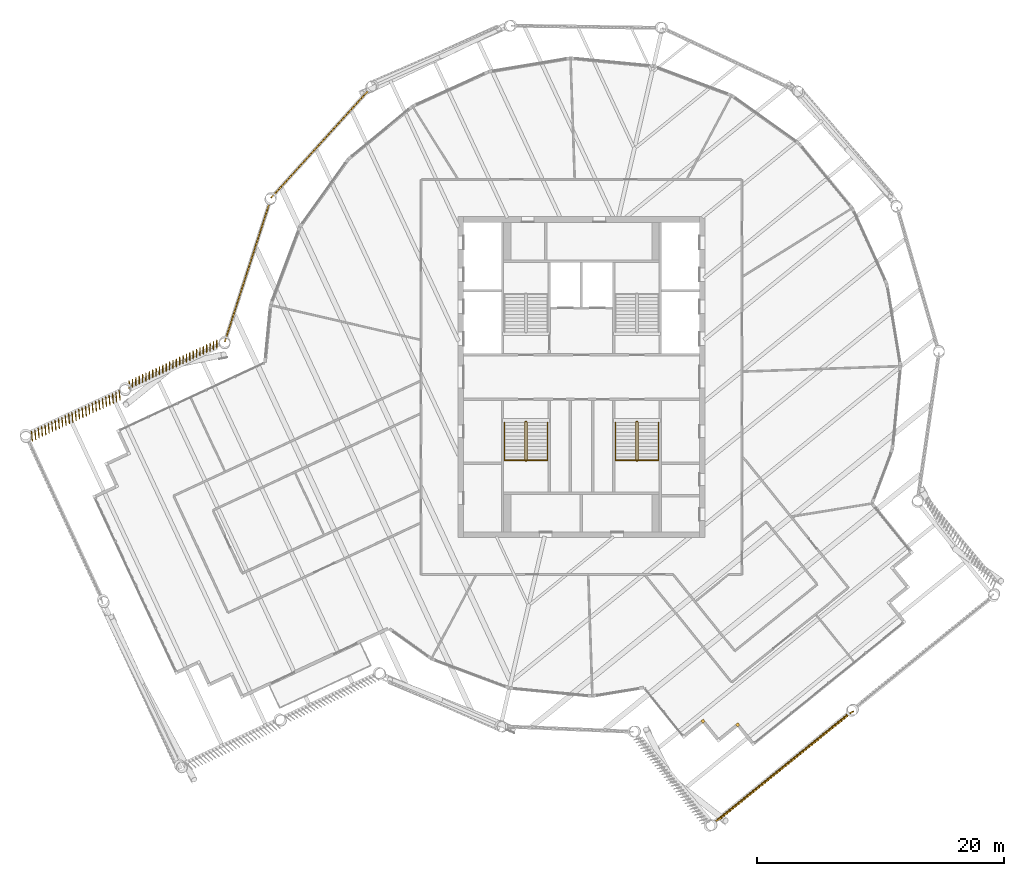
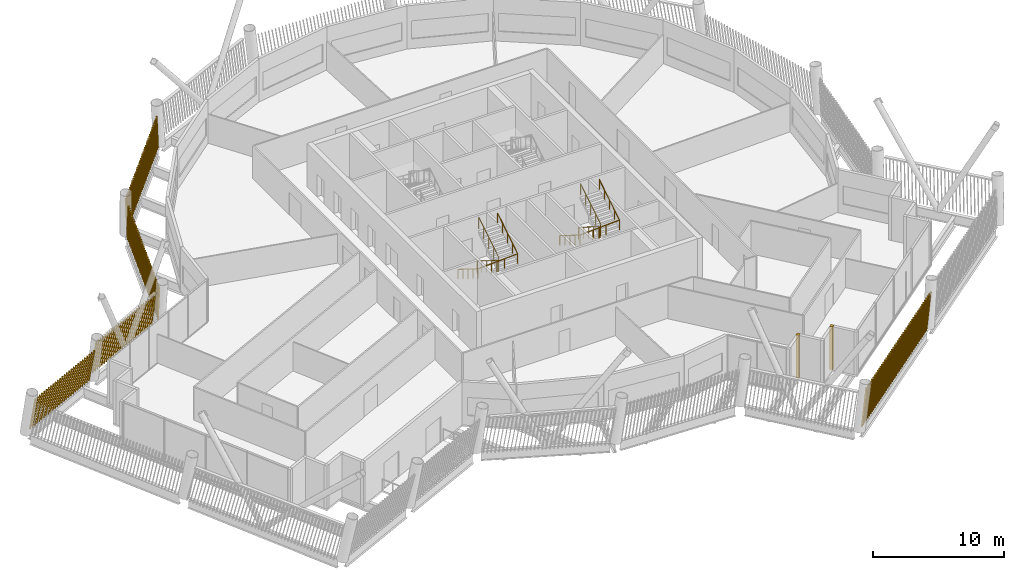
# One storey, part 33 of 36: 7 shading devices, 4 railings.
"""IFC4 building model written with IfcOpenShell, lengths in metres."""

from ifc_helpers import new_model, si_unit, direction, frame, frame_2d, origin, origin_2d, place, context, subcontext, project, spatial, rectangle, circle, composite_profile, extrude, material, type_object, element, save


model = new_model("IFC4")

# Units and contexts
model_context = context("Model", 3, precision=1e-05, world=origin(), true_north=direction((0.0, 1.0)))
body_context = subcontext(model_context, "Body", "Model", "MODEL_VIEW")
ifc_project = project(units=[si_unit("LENGTHUNIT", "METRE"), si_unit("AREAUNIT", "SQUARE_METRE"), si_unit("VOLUMEUNIT", "CUBIC_METRE"), si_unit("PLANEANGLEUNIT", "RADIAN"), si_unit("MASSUNIT", "GRAM", prefix="KILO")], contexts=[model_context])

# Site, building, storey
site_placement = place(None, origin())
site = spatial("IfcSite", under=ifc_project, at=site_placement, CompositionType="ELEMENT")
building_placement = place(site_placement, origin())
building = spatial("IfcBuilding", under=site, at=building_placement, Name="Tarsis Ring Headquarters", CompositionType="ELEMENT")
storey_placement = place(building_placement, frame((0.0, 0.0, 386.0)))
storey = spatial("IfcBuildingStorey", under=building, at=storey_placement, Name="L91", CompositionType="ELEMENT", Elevation=386.0)

# Railings
ifc_material_1 = material(Name="Steel S355", Category="steel")
railing_type_1 = type_object("IfcRailingType", Name="Core stair guard 1100", PredefinedType="GUARDRAIL", material=ifc_material_1)
railing_1_placement = place(storey_placement, frame((-4.4599609375, -3.610107421875, 0.0)))
element("IfcRailing", 1, at=railing_1_placement, inside=storey, type_object=railing_type_1, Name="L91 ST3 stair guard 1", PredefinedType="GUARDRAIL", context=body_context, shape_type="SweptSolid", body=[
    extrude(circle(Radius=0.02392578125, at=origin_2d()), frame((0.0, 0.0, 1.076171875), z_axis=(-1.0, 0.0, 0.0), x_axis=(0.0, -1.0, 0.0)), (0.0, 0.0, 1.0), 0.080078125),
    extrude(circle(Radius=0.02392578125, at=origin_2d()), frame((-0.080078125, 0.0, 1.076171875), z_axis=(-0.265155923931, -0.263862480399, 0.927399011991), x_axis=(0.705375805398, -0.708833529934, 0.0)), (0.0, 0.0, 1.0), 0.188720703125),
    extrude(circle(Radius=0.02392578125, at=origin_2d()), frame((-0.130126953125, -0.0498046875, 1.2509765625), z_axis=(0.0, -0.847998304005, 0.529998940003), x_axis=(1.0, 0.0, 0.0)), (0.0, 0.0, 1.0), 3.632080078125),
    extrude(circle(Radius=0.02392578125, at=origin_2d()), frame((-0.130126953125, -3.1298828125, 3.17626953125), z_axis=(0.707106781187, -0.707106781187, 0.0), x_axis=(0.707106781187, 0.707106781187, 0.0)), (0.0, 0.0, 1.0), 0.07080078125),
    extrude(circle(Radius=0.02392578125, at=origin_2d()), frame((-0.080078125, -3.179931640625, 3.17626953125), z_axis=(1.0, 0.0, 0.0), x_axis=(0.0, 1.0, 0.0)), (0.0, 0.0, 1.0), 0.080078125),
    extrude(circle(Radius=0.02392578125, at=origin_2d()), frame((0.0, -3.179931640625, 3.17626953125), z_axis=(0.265383341853, 0.265383341853, 0.926899867156), x_axis=(-0.707106781187, 0.707106781187, 0.0)), (0.0, 0.0, 1.0), 0.1884765625),
    extrude(circle(Radius=0.02392578125, at=origin_2d()), frame((0.050048828125, -3.1298828125, 3.35107421875), z_axis=(0.0, 0.847998304005, 0.529998940003), x_axis=(-1.0, 0.0, 0.0)), (0.0, 0.0, 1.0), 3.632080078125),
    extrude(circle(Radius=0.02099609375, at=origin_2d()), origin(), (0.0, 0.0, 1.0), 1.052001953125),
    extrude(circle(Radius=0.02099609375, at=origin_2d()), frame((-0.080078125, 0.0, 0.0)), (0.0, 0.0, 1.0), 1.052001953125),
    extrude(circle(Radius=0.02099609375, at=origin_2d()), frame((-0.130126953125, -0.0498046875, 0.175048828125)), (0.0, 0.0, 1.0), 1.052001953125),
    extrude(circle(Radius=0.02099609375, at=origin_2d()), frame((-0.130126953125, -0.81982421875, 0.65625)), (0.0, 0.0, 1.0), 1.052001953125),
    extrude(circle(Radius=0.02099609375, at=origin_2d()), frame((-0.130126953125, -1.58984375, 1.1376953125)), (0.0, 0.0, 1.0), 1.052001953125),
    extrude(circle(Radius=0.02099609375, at=origin_2d()), frame((-0.130126953125, -2.35986328125, 1.618896484375)), (0.0, 0.0, 1.0), 1.052001953125),
    extrude(circle(Radius=0.02099609375, at=origin_2d()), frame((-0.130126953125, -3.1298828125, 2.10009765625)), (0.0, 0.0, 1.0), 1.052001953125),
    extrude(circle(Radius=0.02099609375, at=origin_2d()), frame((-0.080078125, -3.179931640625, 2.10009765625)), (0.0, 0.0, 1.0), 1.052001953125),
    extrude(circle(Radius=0.02099609375, at=origin_2d()), frame((0.0, -3.179931640625, 2.10009765625)), (0.0, 0.0, 1.0), 1.052001953125),
    extrude(circle(Radius=0.02099609375, at=origin_2d()), frame((0.050048828125, -3.1298828125, 2.27490234375)), (0.0, 0.0, 1.0), 1.052001953125),
    extrude(circle(Radius=0.02099609375, at=origin_2d()), frame((0.050048828125, -2.35986328125, 2.756103515625)), (0.0, 0.0, 1.0), 1.052001953125),
    extrude(circle(Radius=0.02099609375, at=origin_2d()), frame((0.050048828125, -1.58984375, 3.2373046875)), (0.0, 0.0, 1.0), 1.052001953125),
    extrude(circle(Radius=0.02099609375, at=origin_2d()), frame((0.050048828125, -0.81982421875, 3.71875)), (0.0, 0.0, 1.0), 1.052001953125),
    extrude(circle(Radius=0.02099609375, at=origin_2d()), frame((0.050048828125, -0.0498046875, 4.199951171875)), (0.0, 0.0, 1.0), 1.052001953125),
])
railing_2_placement = place(storey_placement, frame((4.5400390625, -3.610107421875, 0.0)))
element("IfcRailing", 2, at=railing_2_placement, inside=storey, type_object=railing_type_1, Name="L91 ST4 stair guard 1", PredefinedType="GUARDRAIL", context=body_context, shape_type="SweptSolid", body=[
    extrude(circle(Radius=0.02392578125, at=origin_2d()), frame((0.0, 0.0, 1.076171875), z_axis=(-1.0, 0.0, 0.0), x_axis=(0.0, -1.0, 0.0)), (0.0, 0.0, 1.0), 0.080078125),
    extrude(circle(Radius=0.02392578125, at=origin_2d()), frame((-0.080078125, 0.0, 1.076171875), z_axis=(-0.265155923931, -0.263862480399, 0.927399011991), x_axis=(0.705375805398, -0.708833529934, 0.0)), (0.0, 0.0, 1.0), 0.188720703125),
    extrude(circle(Radius=0.02392578125, at=origin_2d()), frame((-0.130126953125, -0.0498046875, 1.2509765625), z_axis=(0.0, -0.847998304005, 0.529998940003), x_axis=(1.0, 0.0, 0.0)), (0.0, 0.0, 1.0), 3.632080078125),
    extrude(circle(Radius=0.02392578125, at=origin_2d()), frame((-0.130126953125, -3.1298828125, 3.17626953125), z_axis=(0.707106781187, -0.707106781187, 0.0), x_axis=(0.707106781187, 0.707106781187, 0.0)), (0.0, 0.0, 1.0), 0.07080078125),
    extrude(circle(Radius=0.02392578125, at=origin_2d()), frame((-0.080078125, -3.179931640625, 3.17626953125), z_axis=(1.0, 0.0, 0.0), x_axis=(0.0, 1.0, 0.0)), (0.0, 0.0, 1.0), 0.080078125),
    extrude(circle(Radius=0.02392578125, at=origin_2d()), frame((0.0, -3.179931640625, 3.17626953125), z_axis=(0.265383341853, 0.265383341853, 0.926899867156), x_axis=(-0.707106781187, 0.707106781187, 0.0)), (0.0, 0.0, 1.0), 0.1884765625),
    extrude(circle(Radius=0.02392578125, at=origin_2d()), frame((0.050048828125, -3.1298828125, 3.35107421875), z_axis=(0.0, 0.847998304005, 0.529998940003), x_axis=(-1.0, 0.0, 0.0)), (0.0, 0.0, 1.0), 3.632080078125),
    extrude(circle(Radius=0.02099609375, at=origin_2d()), origin(), (0.0, 0.0, 1.0), 1.052001953125),
    extrude(circle(Radius=0.02099609375, at=origin_2d()), frame((-0.080078125, 0.0, 0.0)), (0.0, 0.0, 1.0), 1.052001953125),
    extrude(circle(Radius=0.02099609375, at=origin_2d()), frame((-0.130126953125, -0.0498046875, 0.175048828125)), (0.0, 0.0, 1.0), 1.052001953125),
    extrude(circle(Radius=0.02099609375, at=origin_2d()), frame((-0.130126953125, -0.81982421875, 0.65625)), (0.0, 0.0, 1.0), 1.052001953125),
    extrude(circle(Radius=0.02099609375, at=origin_2d()), frame((-0.130126953125, -1.58984375, 1.1376953125)), (0.0, 0.0, 1.0), 1.052001953125),
    extrude(circle(Radius=0.02099609375, at=origin_2d()), frame((-0.130126953125, -2.35986328125, 1.618896484375)), (0.0, 0.0, 1.0), 1.052001953125),
    extrude(circle(Radius=0.02099609375, at=origin_2d()), frame((-0.130126953125, -3.1298828125, 2.10009765625)), (0.0, 0.0, 1.0), 1.052001953125),
    extrude(circle(Radius=0.02099609375, at=origin_2d()), frame((-0.080078125, -3.179931640625, 2.10009765625)), (0.0, 0.0, 1.0), 1.052001953125),
    extrude(circle(Radius=0.02099609375, at=origin_2d()), frame((0.0, -3.179931640625, 2.10009765625)), (0.0, 0.0, 1.0), 1.052001953125),
    extrude(circle(Radius=0.02099609375, at=origin_2d()), frame((0.050048828125, -3.1298828125, 2.27490234375)), (0.0, 0.0, 1.0), 1.052001953125),
    extrude(circle(Radius=0.02099609375, at=origin_2d()), frame((0.050048828125, -2.35986328125, 2.756103515625)), (0.0, 0.0, 1.0), 1.052001953125),
    extrude(circle(Radius=0.02099609375, at=origin_2d()), frame((0.050048828125, -1.58984375, 3.2373046875)), (0.0, 0.0, 1.0), 1.052001953125),
    extrude(circle(Radius=0.02099609375, at=origin_2d()), frame((0.050048828125, -0.81982421875, 3.71875)), (0.0, 0.0, 1.0), 1.052001953125),
    extrude(circle(Radius=0.02099609375, at=origin_2d()), frame((0.050048828125, -0.0498046875, 4.199951171875)), (0.0, 0.0, 1.0), 1.052001953125),
])
railing_type_2 = type_object("IfcRailingType", Name="Core stair handrail 900", PredefinedType="HANDRAIL", material=ifc_material_1)
railing_3_placement = place(storey_placement, frame((-6.25, -3.659912109375, 0.175048828125)))
element("IfcRailing", 3, at=railing_3_placement, inside=storey, type_object=railing_type_2, Name="L91 ST3 stair handrail 1", PredefinedType="HANDRAIL", context=body_context, shape_type="SweptSolid", body=[
    extrude(circle(Radius=0.02392578125, at=origin_2d()), frame((0.0, 0.0, 0.8759765625), z_axis=(0.0, -0.847998304005, 0.529998940003), x_axis=(1.0, 0.0, 0.0)), (0.0, 0.0, 1.0), 3.632080078125),
    extrude(circle(Radius=0.02392578125, at=origin_2d()), frame((0.0, -3.080078125, 2.80078125), z_axis=(0.998755117086, 0.0, 0.049882021752), x_axis=(0.0, 1.0, 0.0)), (0.0, 0.0, 1.0), 3.50439453125),
    extrude(circle(Radius=0.02392578125, at=origin_2d()), frame((3.5, -3.080078125, 2.9755859375), z_axis=(0.0, 0.847998304005, 0.529998940003), x_axis=(-1.0, 0.0, 0.0)), (0.0, 0.0, 1.0), 3.632080078125),
    extrude(circle(Radius=0.02099609375, at=origin_2d()), origin(), (0.0, 0.0, 1.0), 0.851806640625),
    extrude(circle(Radius=0.02099609375, at=origin_2d()), frame((0.0, -0.77001953125, 0.481201171875)), (0.0, 0.0, 1.0), 0.851806640625),
    extrude(circle(Radius=0.02099609375, at=origin_2d()), frame((0.0, -1.5400390625, 0.96240234375)), (0.0, 0.0, 1.0), 0.851806640625),
    extrude(circle(Radius=0.02099609375, at=origin_2d()), frame((0.0, -2.31005859375, 1.44384765625)), (0.0, 0.0, 1.0), 0.851806640625),
    extrude(circle(Radius=0.02099609375, at=origin_2d()), frame((0.0, -3.080078125, 1.925048828125)), (0.0, 0.0, 1.0), 0.851806640625),
    extrude(circle(Radius=0.02099609375, at=origin_2d()), frame((1.166748046875, -3.080078125, 1.9833984375)), (0.0, 0.0, 1.0), 0.851806640625),
    extrude(circle(Radius=0.02099609375, at=origin_2d()), frame((2.333251953125, -3.080078125, 2.04150390625)), (0.0, 0.0, 1.0), 0.851806640625),
    extrude(circle(Radius=0.02099609375, at=origin_2d()), frame((3.5, -3.080078125, 2.099853515625)), (0.0, 0.0, 1.0), 0.851806640625),
    extrude(circle(Radius=0.02099609375, at=origin_2d()), frame((3.5, -2.31005859375, 2.5810546875)), (0.0, 0.0, 1.0), 0.851806640625),
    extrude(circle(Radius=0.02099609375, at=origin_2d()), frame((3.5, -1.5400390625, 3.0625)), (0.0, 0.0, 1.0), 0.851806640625),
    extrude(circle(Radius=0.02099609375, at=origin_2d()), frame((3.5, -0.77001953125, 3.543701171875)), (0.0, 0.0, 1.0), 0.851806640625),
    extrude(circle(Radius=0.02099609375, at=origin_2d()), frame((3.5, 0.0, 4.02490234375)), (0.0, 0.0, 1.0), 0.851806640625),
])
railing_4_placement = place(storey_placement, frame((2.75, -3.659912109375, 0.175048828125)))
element("IfcRailing", 4, at=railing_4_placement, inside=storey, type_object=railing_type_2, Name="L91 ST4 stair handrail 1", PredefinedType="HANDRAIL", context=body_context, shape_type="SweptSolid", body=[
    extrude(circle(Radius=0.02392578125, at=origin_2d()), frame((0.0, 0.0, 0.8759765625), z_axis=(0.0, -0.847998304005, 0.529998940003), x_axis=(1.0, 0.0, 0.0)), (0.0, 0.0, 1.0), 3.632080078125),
    extrude(circle(Radius=0.02392578125, at=origin_2d()), frame((0.0, -3.080078125, 2.80078125), z_axis=(0.998755117086, 0.0, 0.049882021752), x_axis=(0.0, 1.0, 0.0)), (0.0, 0.0, 1.0), 3.50439453125),
    extrude(circle(Radius=0.02392578125, at=origin_2d()), frame((3.5, -3.080078125, 2.9755859375), z_axis=(0.0, 0.847998304005, 0.529998940003), x_axis=(-1.0, 0.0, 0.0)), (0.0, 0.0, 1.0), 3.632080078125),
    extrude(circle(Radius=0.02099609375, at=origin_2d()), origin(), (0.0, 0.0, 1.0), 0.851806640625),
    extrude(circle(Radius=0.02099609375, at=origin_2d()), frame((0.0, -0.77001953125, 0.481201171875)), (0.0, 0.0, 1.0), 0.851806640625),
    extrude(circle(Radius=0.02099609375, at=origin_2d()), frame((0.0, -1.5400390625, 0.96240234375)), (0.0, 0.0, 1.0), 0.851806640625),
    extrude(circle(Radius=0.02099609375, at=origin_2d()), frame((0.0, -2.31005859375, 1.44384765625)), (0.0, 0.0, 1.0), 0.851806640625),
    extrude(circle(Radius=0.02099609375, at=origin_2d()), frame((0.0, -3.080078125, 1.925048828125)), (0.0, 0.0, 1.0), 0.851806640625),
    extrude(circle(Radius=0.02099609375, at=origin_2d()), frame((1.166748046875, -3.080078125, 1.9833984375)), (0.0, 0.0, 1.0), 0.851806640625),
    extrude(circle(Radius=0.02099609375, at=origin_2d()), frame((2.333251953125, -3.080078125, 2.04150390625)), (0.0, 0.0, 1.0), 0.851806640625),
    extrude(circle(Radius=0.02099609375, at=origin_2d()), frame((3.5, -3.080078125, 2.099853515625)), (0.0, 0.0, 1.0), 0.851806640625),
    extrude(circle(Radius=0.02099609375, at=origin_2d()), frame((3.5, -2.31005859375, 2.5810546875)), (0.0, 0.0, 1.0), 0.851806640625),
    extrude(circle(Radius=0.02099609375, at=origin_2d()), frame((3.5, -1.5400390625, 3.0625)), (0.0, 0.0, 1.0), 0.851806640625),
    extrude(circle(Radius=0.02099609375, at=origin_2d()), frame((3.5, -0.77001953125, 3.543701171875)), (0.0, 0.0, 1.0), 0.851806640625),
    extrude(circle(Radius=0.02099609375, at=origin_2d()), frame((3.5, 0.0, 4.02490234375)), (0.0, 0.0, 1.0), 0.851806640625),
])

# Shading devices
ifc_material_2 = material(Name="Terracotta baguette", Category="masonry")
shading_device_type_1 = type_object("IfcShadingDeviceType", Name="Terracotta baguette screen", PredefinedType="USERDEFINED", material=ifc_material_2)
shading_device_1_placement = place(storey_placement, frame((10.761962890625, -36.051513671875, 0.0), z_axis=(0.0, 0.0, 1.0), x_axis=(0.777585139319, 0.628783724016, 0.0)))
element("IfcShadingDevice", 5, at=shading_device_1_placement, inside=storey, type_object=shading_device_type_1, Name="Baguette screen L91-02", ObjectType="Terracotta baguette screen", PredefinedType="USERDEFINED", context=body_context, shape_type="SweptSolid", body=[
    extrude(composite_profile([rectangle(XDim=0.06005859375, YDim=0.1201171875, at=frame_2d((0.030029296875, 0.0))), rectangle(XDim=0.06005859375, YDim=0.1201171875, at=frame_2d((0.33544921875, 0.0))), rectangle(XDim=0.06005859375, YDim=0.1201171875, at=frame_2d((0.640625, 0.0))), rectangle(XDim=0.06005859375, YDim=0.1201171875, at=frame_2d((0.946044921875, 0.0))), rectangle(XDim=0.06005859375, YDim=0.1201171875, at=frame_2d((1.25146484375, 0.0))), rectangle(XDim=0.06005859375, YDim=0.1201171875, at=frame_2d((1.556640625, 0.0))), rectangle(XDim=0.06005859375, YDim=0.1201171875, at=frame_2d((1.862060546875, 0.0))), rectangle(XDim=0.06005859375, YDim=0.1201171875, at=frame_2d((2.16748046875, 0.0))), rectangle(XDim=0.06005859375, YDim=0.1201171875, at=frame_2d((2.47265625, 0.0))), rectangle(XDim=0.06005859375, YDim=0.1201171875, at=frame_2d((2.778076171875, 0.0))), rectangle(XDim=0.06005859375, YDim=0.1201171875, at=frame_2d((3.08349609375, 0.0))), rectangle(XDim=0.06005859375, YDim=0.1201171875, at=frame_2d((3.388671875, 0.0))), rectangle(XDim=0.06005859375, YDim=0.1201171875, at=frame_2d((3.694091796875, 0.0))), rectangle(XDim=0.06005859375, YDim=0.1201171875, at=frame_2d((3.99951171875, 0.0))), rectangle(XDim=0.06005859375, YDim=0.1201171875, at=frame_2d((4.3046875, 0.0))), rectangle(XDim=0.06005859375, YDim=0.1201171875, at=frame_2d((4.610107421875, 0.0))), rectangle(XDim=0.06005859375, YDim=0.1201171875, at=frame_2d((4.91552734375, 0.0))), rectangle(XDim=0.06005859375, YDim=0.1201171875, at=frame_2d((5.220703125, 0.0))), rectangle(XDim=0.06005859375, YDim=0.1201171875, at=frame_2d((5.526123046875, 0.0))), rectangle(XDim=0.06005859375, YDim=0.1201171875, at=frame_2d((5.83154296875, 0.0))), rectangle(XDim=0.06005859375, YDim=0.1201171875, at=frame_2d((6.13671875, 0.0))), rectangle(XDim=0.06005859375, YDim=0.1201171875, at=frame_2d((6.442138671875, 0.0))), rectangle(XDim=0.06005859375, YDim=0.1201171875, at=frame_2d((6.74755859375, 0.0))), rectangle(XDim=0.06005859375, YDim=0.1201171875, at=frame_2d((7.052734375, 0.0))), rectangle(XDim=0.06005859375, YDim=0.1201171875, at=frame_2d((7.358154296875, 0.0))), rectangle(XDim=0.06005859375, YDim=0.1201171875, at=frame_2d((7.66357421875, 0.0))), rectangle(XDim=0.06005859375, YDim=0.1201171875, at=frame_2d((7.96875, 0.0))), rectangle(XDim=0.06005859375, YDim=0.1201171875, at=frame_2d((8.274169921875, 0.0))), rectangle(XDim=0.06005859375, YDim=0.1201171875, at=frame_2d((8.57958984375, 0.0))), rectangle(XDim=0.06005859375, YDim=0.1201171875, at=frame_2d((8.884765625, 0.0))), rectangle(XDim=0.06005859375, YDim=0.1201171875, at=frame_2d((9.190185546875, 0.0))), rectangle(XDim=0.06005859375, YDim=0.1201171875, at=frame_2d((9.49560546875, 0.0))), rectangle(XDim=0.06005859375, YDim=0.1201171875, at=frame_2d((9.80078125, 0.0))), rectangle(XDim=0.06005859375, YDim=0.1201171875, at=frame_2d((10.106201171875, 0.0))), rectangle(XDim=0.06005859375, YDim=0.1201171875, at=frame_2d((10.41162109375, 0.0))), rectangle(XDim=0.06005859375, YDim=0.1201171875, at=frame_2d((10.716796875, 0.0))), rectangle(XDim=0.06005859375, YDim=0.1201171875, at=frame_2d((11.022216796875, 0.0))), rectangle(XDim=0.06005859375, YDim=0.1201171875, at=frame_2d((11.32763671875, 0.0))), rectangle(XDim=0.06005859375, YDim=0.1201171875, at=frame_2d((11.6328125, 0.0))), rectangle(XDim=0.06005859375, YDim=0.1201171875, at=frame_2d((11.938232421875, 0.0))), rectangle(XDim=0.06005859375, YDim=0.1201171875, at=frame_2d((12.24365234375, 0.0))), rectangle(XDim=0.06005859375, YDim=0.1201171875, at=frame_2d((12.548828125, 0.0))), rectangle(XDim=0.06005859375, YDim=0.1201171875, at=frame_2d((12.854248046875, 0.0))), rectangle(XDim=0.06005859375, YDim=0.1201171875, at=frame_2d((13.15966796875, 0.0))), rectangle(XDim=0.06005859375, YDim=0.1201171875, at=frame_2d((13.46484375, 0.0))), rectangle(XDim=0.06005859375, YDim=0.1201171875, at=frame_2d((13.770263671875, 0.0)))]), origin(), (0.18928086225, -0.038458313963, 0.981169563976), 3.343505859375),
])
shading_device_2_placement = place(storey_placement, frame((-17.26416015625, 23.235595703125, 0.0), z_axis=(0.0, 0.0, 1.0), x_axis=(-0.671499262089, -0.740993141766, 0.0)))
element("IfcShadingDevice", 6, at=shading_device_2_placement, inside=storey, type_object=shading_device_type_1, Name="Baguette screen L91-11", ObjectType="Terracotta baguette screen", PredefinedType="USERDEFINED", context=body_context, shape_type="SweptSolid", body=[
    extrude(composite_profile([rectangle(XDim=0.06005859375, YDim=0.1201171875, at=frame_2d((0.030029296875, 0.0))), rectangle(XDim=0.06005859375, YDim=0.1201171875, at=frame_2d((0.33251953125, 0.0))), rectangle(XDim=0.06005859375, YDim=0.1201171875, at=frame_2d((0.634765625, 0.0))), rectangle(XDim=0.06005859375, YDim=0.1201171875, at=frame_2d((0.937255859375, 0.0))), rectangle(XDim=0.06005859375, YDim=0.1201171875, at=frame_2d((1.239501953125, 0.0))), rectangle(XDim=0.06005859375, YDim=0.1201171875, at=frame_2d((1.5419921875, 0.0))), rectangle(XDim=0.06005859375, YDim=0.1201171875, at=frame_2d((1.844482421875, 0.0))), rectangle(XDim=0.06005859375, YDim=0.1201171875, at=frame_2d((2.146728515625, 0.0))), rectangle(XDim=0.06005859375, YDim=0.1201171875, at=frame_2d((2.44921875, 0.0))), rectangle(XDim=0.06005859375, YDim=0.1201171875, at=frame_2d((2.751708984375, 0.0))), rectangle(XDim=0.06005859375, YDim=0.1201171875, at=frame_2d((3.053955078125, 0.0))), rectangle(XDim=0.06005859375, YDim=0.1201171875, at=frame_2d((3.3564453125, 0.0))), rectangle(XDim=0.06005859375, YDim=0.1201171875, at=frame_2d((3.65869140625, 0.0))), rectangle(XDim=0.06005859375, YDim=0.1201171875, at=frame_2d((3.961181640625, 0.0))), rectangle(XDim=0.06005859375, YDim=0.1201171875, at=frame_2d((4.263671875, 0.0))), rectangle(XDim=0.06005859375, YDim=0.1201171875, at=frame_2d((4.56591796875, 0.0))), rectangle(XDim=0.06005859375, YDim=0.1201171875, at=frame_2d((4.868408203125, 0.0))), rectangle(XDim=0.06005859375, YDim=0.1201171875, at=frame_2d((5.1708984375, 0.0))), rectangle(XDim=0.06005859375, YDim=0.1201171875, at=frame_2d((5.47314453125, 0.0))), rectangle(XDim=0.06005859375, YDim=0.1201171875, at=frame_2d((5.775634765625, 0.0))), rectangle(XDim=0.06005859375, YDim=0.1201171875, at=frame_2d((6.077880859375, 0.0))), rectangle(XDim=0.06005859375, YDim=0.1201171875, at=frame_2d((6.38037109375, 0.0))), rectangle(XDim=0.06005859375, YDim=0.1201171875, at=frame_2d((6.682861328125, 0.0))), rectangle(XDim=0.06005859375, YDim=0.1201171875, at=frame_2d((6.985107421875, 0.0))), rectangle(XDim=0.06005859375, YDim=0.1201171875, at=frame_2d((7.28759765625, 0.0))), rectangle(XDim=0.06005859375, YDim=0.1201171875, at=frame_2d((7.590087890625, 0.0))), rectangle(XDim=0.06005859375, YDim=0.1201171875, at=frame_2d((7.892333984375, 0.0))), rectangle(XDim=0.06005859375, YDim=0.1201171875, at=frame_2d((8.19482421875, 0.0))), rectangle(XDim=0.06005859375, YDim=0.1201171875, at=frame_2d((8.4970703125, 0.0))), rectangle(XDim=0.06005859375, YDim=0.1201171875, at=frame_2d((8.799560546875, 0.0))), rectangle(XDim=0.06005859375, YDim=0.1201171875, at=frame_2d((9.10205078125, 0.0))), rectangle(XDim=0.06005859375, YDim=0.1201171875, at=frame_2d((9.404296875, 0.0))), rectangle(XDim=0.06005859375, YDim=0.1201171875, at=frame_2d((9.706787109375, 0.0))), rectangle(XDim=0.06005859375, YDim=0.1201171875, at=frame_2d((10.00927734375, 0.0))), rectangle(XDim=0.06005859375, YDim=0.1201171875, at=frame_2d((10.3115234375, 0.0))), rectangle(XDim=0.06005859375, YDim=0.1201171875, at=frame_2d((10.614013671875, 0.0))), rectangle(XDim=0.06005859375, YDim=0.1201171875, at=frame_2d((10.916259765625, 0.0))), rectangle(XDim=0.06005859375, YDim=0.1201171875, at=frame_2d((11.21875, 0.0)))]), origin(), (0.155201677838, 0.001407505455, 0.987881803722), 3.32080078125),
])
shading_device_3_placement = place(storey_placement, frame((-25.306884765625, 14.0537109375, 0.0), z_axis=(0.0, 0.0, 1.0), x_axis=(-0.306370048833, -0.951904503527, 0.0)))
element("IfcShadingDevice", 7, at=shading_device_3_placement, inside=storey, type_object=shading_device_type_1, Name="Baguette screen L91-12", ObjectType="Terracotta baguette screen", PredefinedType="USERDEFINED", context=body_context, shape_type="SweptSolid", body=[
    extrude(composite_profile([rectangle(XDim=0.06005859375, YDim=0.1201171875, at=frame_2d((0.030029296875, 0.0))), rectangle(XDim=0.06005859375, YDim=0.1201171875, at=frame_2d((0.33251953125, 0.0))), rectangle(XDim=0.06005859375, YDim=0.1201171875, at=frame_2d((0.634765625, 0.0))), rectangle(XDim=0.06005859375, YDim=0.1201171875, at=frame_2d((0.937255859375, 0.0))), rectangle(XDim=0.06005859375, YDim=0.1201171875, at=frame_2d((1.239501953125, 0.0))), rectangle(XDim=0.06005859375, YDim=0.1201171875, at=frame_2d((1.5419921875, 0.0))), rectangle(XDim=0.06005859375, YDim=0.1201171875, at=frame_2d((1.844482421875, 0.0))), rectangle(XDim=0.06005859375, YDim=0.1201171875, at=frame_2d((2.146728515625, 0.0))), rectangle(XDim=0.06005859375, YDim=0.1201171875, at=frame_2d((2.44921875, 0.0))), rectangle(XDim=0.06005859375, YDim=0.1201171875, at=frame_2d((2.751708984375, 0.0))), rectangle(XDim=0.06005859375, YDim=0.1201171875, at=frame_2d((3.053955078125, 0.0))), rectangle(XDim=0.06005859375, YDim=0.1201171875, at=frame_2d((3.3564453125, 0.0))), rectangle(XDim=0.06005859375, YDim=0.1201171875, at=frame_2d((3.65869140625, 0.0))), rectangle(XDim=0.06005859375, YDim=0.1201171875, at=frame_2d((3.961181640625, 0.0))), rectangle(XDim=0.06005859375, YDim=0.1201171875, at=frame_2d((4.263671875, 0.0))), rectangle(XDim=0.06005859375, YDim=0.1201171875, at=frame_2d((4.56591796875, 0.0))), rectangle(XDim=0.06005859375, YDim=0.1201171875, at=frame_2d((4.868408203125, 0.0))), rectangle(XDim=0.06005859375, YDim=0.1201171875, at=frame_2d((5.1708984375, 0.0))), rectangle(XDim=0.06005859375, YDim=0.1201171875, at=frame_2d((5.47314453125, 0.0))), rectangle(XDim=0.06005859375, YDim=0.1201171875, at=frame_2d((5.775634765625, 0.0))), rectangle(XDim=0.06005859375, YDim=0.1201171875, at=frame_2d((6.077880859375, 0.0))), rectangle(XDim=0.06005859375, YDim=0.1201171875, at=frame_2d((6.38037109375, 0.0))), rectangle(XDim=0.06005859375, YDim=0.1201171875, at=frame_2d((6.682861328125, 0.0))), rectangle(XDim=0.06005859375, YDim=0.1201171875, at=frame_2d((6.985107421875, 0.0))), rectangle(XDim=0.06005859375, YDim=0.1201171875, at=frame_2d((7.28759765625, 0.0))), rectangle(XDim=0.06005859375, YDim=0.1201171875, at=frame_2d((7.590087890625, 0.0))), rectangle(XDim=0.06005859375, YDim=0.1201171875, at=frame_2d((7.892333984375, 0.0))), rectangle(XDim=0.06005859375, YDim=0.1201171875, at=frame_2d((8.19482421875, 0.0))), rectangle(XDim=0.06005859375, YDim=0.1201171875, at=frame_2d((8.4970703125, 0.0))), rectangle(XDim=0.06005859375, YDim=0.1201171875, at=frame_2d((8.799560546875, 0.0))), rectangle(XDim=0.06005859375, YDim=0.1201171875, at=frame_2d((9.10205078125, 0.0))), rectangle(XDim=0.06005859375, YDim=0.1201171875, at=frame_2d((9.404296875, 0.0))), rectangle(XDim=0.06005859375, YDim=0.1201171875, at=frame_2d((9.706787109375, 0.0))), rectangle(XDim=0.06005859375, YDim=0.1201171875, at=frame_2d((10.00927734375, 0.0))), rectangle(XDim=0.06005859375, YDim=0.1201171875, at=frame_2d((10.3115234375, 0.0))), rectangle(XDim=0.06005859375, YDim=0.1201171875, at=frame_2d((10.614013671875, 0.0))), rectangle(XDim=0.06005859375, YDim=0.1201171875, at=frame_2d((10.916259765625, 0.0))), rectangle(XDim=0.06005859375, YDim=0.1201171875, at=frame_2d((11.21875, 0.0)))]), origin(), (0.155201440809, 0.001407239796, 0.987881841339), 3.32080078125),
])
shading_device_4_placement = place(storey_placement, frame((-29.517822265625, 2.9990234375, 0.0), z_axis=(0.0, 0.0, 1.0), x_axis=(-0.906605289174, -0.421990855166, 0.0)))
element("IfcShadingDevice", 8, at=shading_device_4_placement, inside=storey, type_object=shading_device_type_1, Name="Baguette screen L91-13", ObjectType="Terracotta baguette screen", PredefinedType="USERDEFINED", context=body_context, shape_type="SweptSolid", body=[
    extrude(composite_profile([rectangle(XDim=0.06005859375, YDim=0.1201171875, at=frame_2d((0.030029296875, 0.0))), rectangle(XDim=0.06005859375, YDim=0.1201171875, at=frame_2d((0.33154296875, 0.0))), rectangle(XDim=0.06005859375, YDim=0.1201171875, at=frame_2d((0.63330078125, 0.0))), rectangle(XDim=0.06005859375, YDim=0.1201171875, at=frame_2d((0.934814453125, 0.0))), rectangle(XDim=0.06005859375, YDim=0.1201171875, at=frame_2d((1.236572265625, 0.0))), rectangle(XDim=0.06005859375, YDim=0.1201171875, at=frame_2d((1.5380859375, 0.0))), rectangle(XDim=0.06005859375, YDim=0.1201171875, at=frame_2d((1.83984375, 0.0))), rectangle(XDim=0.06005859375, YDim=0.1201171875, at=frame_2d((2.141357421875, 0.0))), rectangle(XDim=0.06005859375, YDim=0.1201171875, at=frame_2d((2.443115234375, 0.0))), rectangle(XDim=0.06005859375, YDim=0.1201171875, at=frame_2d((2.74462890625, 0.0))), rectangle(XDim=0.06005859375, YDim=0.1201171875, at=frame_2d((3.04638671875, 0.0))), rectangle(XDim=0.06005859375, YDim=0.1201171875, at=frame_2d((3.347900390625, 0.0))), rectangle(XDim=0.06005859375, YDim=0.1201171875, at=frame_2d((3.649658203125, 0.0))), rectangle(XDim=0.06005859375, YDim=0.1201171875, at=frame_2d((3.951171875, 0.0))), rectangle(XDim=0.06005859375, YDim=0.1201171875, at=frame_2d((4.252685546875, 0.0))), rectangle(XDim=0.06005859375, YDim=0.1201171875, at=frame_2d((4.554443359375, 0.0))), rectangle(XDim=0.06005859375, YDim=0.1201171875, at=frame_2d((4.85595703125, 0.0))), rectangle(XDim=0.06005859375, YDim=0.1201171875, at=frame_2d((5.15771484375, 0.0))), rectangle(XDim=0.06005859375, YDim=0.1201171875, at=frame_2d((5.459228515625, 0.0))), rectangle(XDim=0.06005859375, YDim=0.1201171875, at=frame_2d((5.760986328125, 0.0))), rectangle(XDim=0.06005859375, YDim=0.1201171875, at=frame_2d((6.0625, 0.0))), rectangle(XDim=0.06005859375, YDim=0.1201171875, at=frame_2d((6.3642578125, 0.0))), rectangle(XDim=0.06005859375, YDim=0.1201171875, at=frame_2d((6.665771484375, 0.0))), rectangle(XDim=0.06005859375, YDim=0.1201171875, at=frame_2d((6.967529296875, 0.0))), rectangle(XDim=0.06005859375, YDim=0.1201171875, at=frame_2d((7.26904296875, 0.0))), rectangle(XDim=0.06005859375, YDim=0.1201171875, at=frame_2d((7.57080078125, 0.0))), rectangle(XDim=0.06005859375, YDim=0.1201171875, at=frame_2d((7.872314453125, 0.0)))]), origin(), (0.081130836668, 0.161002499494, 0.983613736432), 3.335205078125),
])
shading_device_5_placement = place(storey_placement, frame((-37.430419921875, -1.09765625, 0.0), z_axis=(0.0, 0.0, 1.0), x_axis=(-0.906605289174, -0.421990855166, 0.0)))
element("IfcShadingDevice", 9, at=shading_device_5_placement, inside=storey, type_object=shading_device_type_1, Name="Baguette screen L91-14", ObjectType="Terracotta baguette screen", PredefinedType="USERDEFINED", context=body_context, shape_type="SweptSolid", body=[
    extrude(composite_profile([rectangle(XDim=0.06005859375, YDim=0.1201171875, at=frame_2d((0.030029296875, 0.0))), rectangle(XDim=0.06005859375, YDim=0.1201171875, at=frame_2d((0.33154296875, 0.0))), rectangle(XDim=0.06005859375, YDim=0.1201171875, at=frame_2d((0.63330078125, 0.0))), rectangle(XDim=0.06005859375, YDim=0.1201171875, at=frame_2d((0.934814453125, 0.0))), rectangle(XDim=0.06005859375, YDim=0.1201171875, at=frame_2d((1.236572265625, 0.0))), rectangle(XDim=0.06005859375, YDim=0.1201171875, at=frame_2d((1.5380859375, 0.0))), rectangle(XDim=0.06005859375, YDim=0.1201171875, at=frame_2d((1.83984375, 0.0))), rectangle(XDim=0.06005859375, YDim=0.1201171875, at=frame_2d((2.141357421875, 0.0))), rectangle(XDim=0.06005859375, YDim=0.1201171875, at=frame_2d((2.443115234375, 0.0))), rectangle(XDim=0.06005859375, YDim=0.1201171875, at=frame_2d((2.74462890625, 0.0))), rectangle(XDim=0.06005859375, YDim=0.1201171875, at=frame_2d((3.04638671875, 0.0))), rectangle(XDim=0.06005859375, YDim=0.1201171875, at=frame_2d((3.347900390625, 0.0))), rectangle(XDim=0.06005859375, YDim=0.1201171875, at=frame_2d((3.649658203125, 0.0))), rectangle(XDim=0.06005859375, YDim=0.1201171875, at=frame_2d((3.951171875, 0.0))), rectangle(XDim=0.06005859375, YDim=0.1201171875, at=frame_2d((4.252685546875, 0.0))), rectangle(XDim=0.06005859375, YDim=0.1201171875, at=frame_2d((4.554443359375, 0.0))), rectangle(XDim=0.06005859375, YDim=0.1201171875, at=frame_2d((4.85595703125, 0.0))), rectangle(XDim=0.06005859375, YDim=0.1201171875, at=frame_2d((5.15771484375, 0.0))), rectangle(XDim=0.06005859375, YDim=0.1201171875, at=frame_2d((5.459228515625, 0.0))), rectangle(XDim=0.06005859375, YDim=0.1201171875, at=frame_2d((5.760986328125, 0.0))), rectangle(XDim=0.06005859375, YDim=0.1201171875, at=frame_2d((6.0625, 0.0))), rectangle(XDim=0.06005859375, YDim=0.1201171875, at=frame_2d((6.3642578125, 0.0))), rectangle(XDim=0.06005859375, YDim=0.1201171875, at=frame_2d((6.665771484375, 0.0))), rectangle(XDim=0.06005859375, YDim=0.1201171875, at=frame_2d((6.967529296875, 0.0))), rectangle(XDim=0.06005859375, YDim=0.1201171875, at=frame_2d((7.26904296875, 0.0))), rectangle(XDim=0.06005859375, YDim=0.1201171875, at=frame_2d((7.57080078125, 0.0))), rectangle(XDim=0.06005859375, YDim=0.1201171875, at=frame_2d((7.872314453125, 0.0)))]), origin(), (0.077969607571, 0.207618012946, 0.975097687925), 3.3642578125),
])
shading_device_type_2 = type_object("IfcShadingDeviceType", Name="Terracotta corner baguette 250x250", PredefinedType="USERDEFINED", material=ifc_material_2)
for number, where, z_axis, x_axis, name in (
    (10, (9.8486328125, -27.88427734375, 0.0), (0.0, 0.0, 1.0), (0.777585361984, 0.628777388929, 0.0), "Corner baguette L91-08"),
    (11, (12.6611328125, -28.181884765625, 0.0), (0.0, 0.0, 1.0), (0.777584923014, 0.628777931786, 0.0), "Corner baguette L91-10"),
):
    element("IfcShadingDevice", number, at=place(storey_placement, frame(where, z_axis=z_axis, x_axis=x_axis)), inside=storey, type_object=shading_device_type_2, Name=name, ObjectType="Terracotta corner baguette", PredefinedType="USERDEFINED", context=body_context, shape_type="SweptSolid", body=[
        extrude(rectangle(XDim=0.25, YDim=0.25, at=origin_2d()), origin(), (0.0, 0.0, 1.0), 4.0400390625),
    ])

save(model, "model.ifc")
